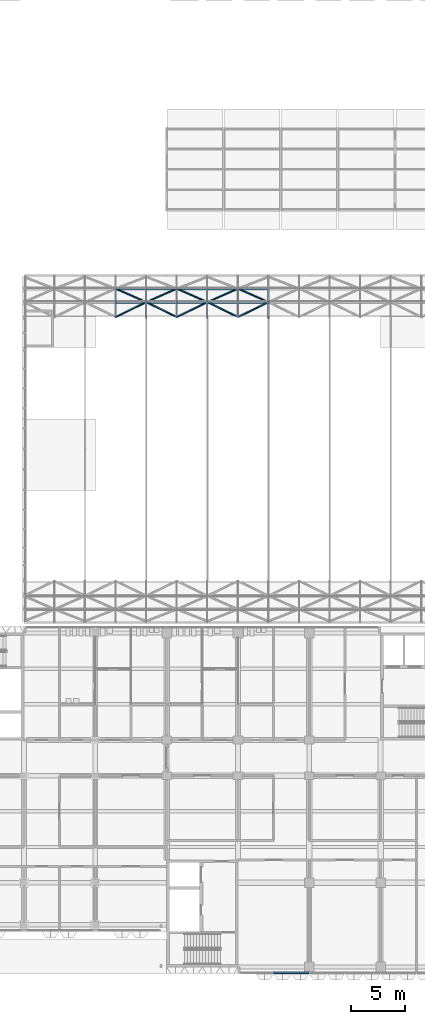
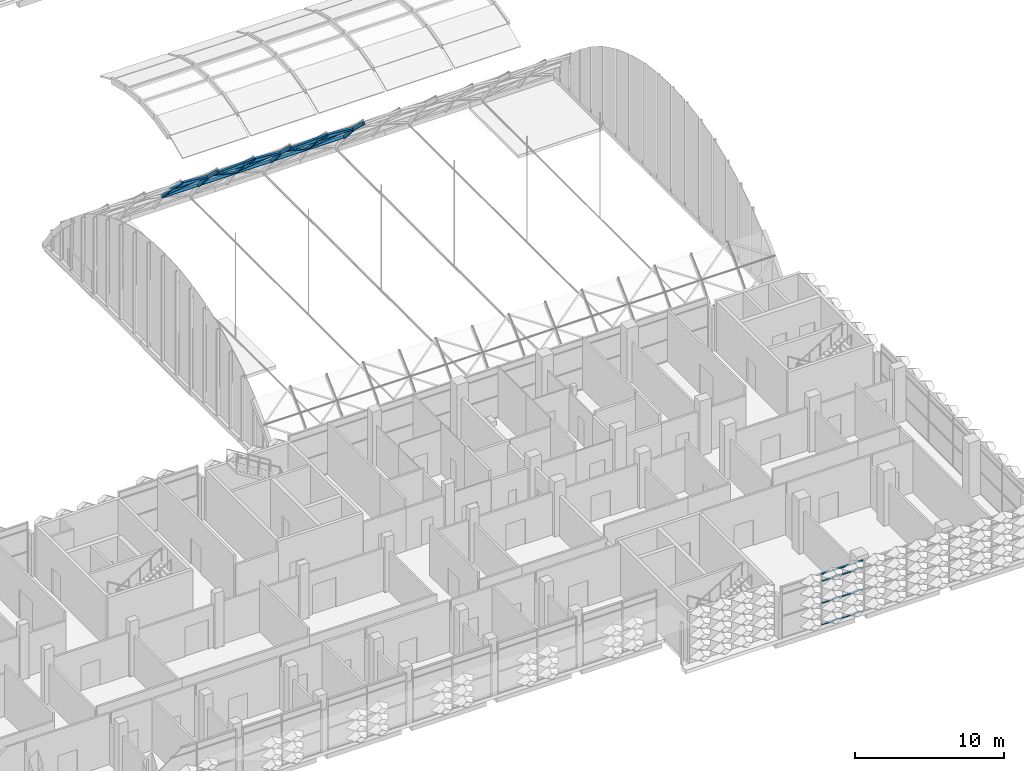
# One storey, part 27 of 109: 36 members, 1 element without a shape of its own.
"""IFC4 building model written with IfcOpenShell, lengths in metres."""

from ifc_helpers import new_model, si_unit, direction, frame, origin, origin_2d, place, context, subcontext, project, spatial, rectangle, hollow_rectangle, extrude, material, material_profile, profile_set, type_object, element, aggregate, save


model = new_model("IFC4")

# Units and contexts
model_context = context("Model", 3, precision=1e-05, world=origin(), true_north=direction((0.0, 1.0)))
body_context = subcontext(model_context, "Body", "Model", "MODEL_VIEW")
ifc_project = project(units=[si_unit("LENGTHUNIT", "METRE"), si_unit("AREAUNIT", "SQUARE_METRE"), si_unit("VOLUMEUNIT", "CUBIC_METRE"), si_unit("PLANEANGLEUNIT", "RADIAN"), si_unit("MASSUNIT", "GRAM", prefix="KILO")], contexts=[model_context])

# Site, building, storey
site_placement = place(None, origin())
site = spatial("IfcSite", under=ifc_project, at=site_placement, CompositionType="ELEMENT")
building_placement = place(site_placement, origin())
building = spatial("IfcBuilding", under=site, at=building_placement, Name="Lantern Court Research Institute", CompositionType="ELEMENT")
storey_placement = place(building_placement, frame((0.0, 0.0, 14.39990234375)))
storey = spatial("IfcBuildingStorey", under=building, at=storey_placement, Name="L03", CompositionType="ELEMENT", Elevation=14.39990234375)

# Members
ifc_material_1 = material(Name="Structural steel S355", Category="steel")
ifc_material_profile_1 = material_profile(ifc_material_1, hollow_rectangle(XDim=0.1201171875, YDim=0.1201171875, WallThickness=0.008056640625, at=origin_2d()), Name="Gridshell haunch diagonal RHS 120 x 120 x 8")
ifc_profile_set_1 = profile_set([ifc_material_profile_1], Name="Structural steel S355")
member_type_1 = type_object("IfcMemberType", Name="Gridshell haunch diagonal RHS 120 x 120 x 8", PredefinedType="BRACE", material=ifc_profile_set_1)
for number, where, z_axis, x_axis, name in (
    (1, (48.085693359375, 52.330322265625, 4.652099609375), (0.829761681147, 0.406358344452, -0.382581296451), (-0.558117866133, 0.60414109168, -0.568786417601), "Gridshell diagonal"),
    (2, (50.914306640625, 53.71142578125, 3.352294921875), (-0.829775196139, 0.365828733116, -0.421476525917), (-0.558097772678, -0.543914119911, 0.62664527948), "Gridshell diagonal"),
    (3, (53.742919921875, 52.330322265625, 4.652099609375), (-0.829761681147, 0.406358344452, -0.382581296451), (-0.558117866133, -0.60414109168, 0.568786417601), "Gridshell diagonal"),
    (4, (50.914306640625, 53.71142578125, 3.352294921875), (0.829775196139, 0.365828733116, -0.421476525917), (-0.558097772678, 0.543914119911, -0.62664527948), "Gridshell diagonal"),
    (5, (53.742919921875, 52.330322265625, 4.652099609375), (0.829761681147, 0.406358344452, -0.382581296451), (-0.558117866133, 0.60414109168, -0.568786417601), "Gridshell diagonal"),
    (6, (56.571533203125, 53.71142578125, 3.352294921875), (-0.829775196139, 0.365828733116, -0.421476525917), (-0.558097772678, -0.543914119911, 0.62664527948), "Gridshell diagonal"),
):
    element("IfcMember", number, at=place(storey_placement, frame(where, z_axis=z_axis, x_axis=x_axis)), inside=storey, type_object=member_type_1, Name=name, PredefinedType="BRACE", context=body_context, shape_type="SweptSolid", body=[
        extrude(hollow_rectangle(XDim=0.1201171875, YDim=0.1201171875, WallThickness=0.008056640625, at=origin_2d()), origin(), (0.0, 0.0, 1.0), 3.408935546875),
    ])
for number, where, z_axis, x_axis, name in (
    (7, (59.39990234375, 52.330322265625, 4.652099609375), (-0.82973937059, 0.406382493632, -0.382604032602), (-0.558151034099, -0.604115905866, 0.568780621518), "Gridshell diagonal"),
    (8, (56.571533203125, 53.71142578125, 3.352294921875), (0.829752886825, 0.365850474398, -0.42150157436), (-0.55813094053, 0.54388935428, -0.62663723439), "Gridshell diagonal"),
):
    element("IfcMember", number, at=place(storey_placement, frame(where, z_axis=z_axis, x_axis=x_axis)), inside=storey, type_object=member_type_1, Name=name, PredefinedType="BRACE", context=body_context, shape_type="SweptSolid", body=[
        extrude(hollow_rectangle(XDim=0.1201171875, YDim=0.1201171875, WallThickness=0.008056640625, at=origin_2d()), origin(), (0.0, 0.0, 1.0), 3.40869140625),
    ])
for number, where, z_axis, x_axis, name in (
    (9, (59.39990234375, 52.330322265625, 4.652099609375), (0.829761681147, 0.406358344452, -0.382581296451), (-0.558117866133, 0.60414109168, -0.568786417601), "Gridshell diagonal"),
    (10, (62.228515625, 53.71142578125, 3.352294921875), (-0.829775196139, 0.365828733116, -0.421476525917), (-0.558097772678, -0.543914119911, 0.62664527948), "Gridshell diagonal"),
):
    element("IfcMember", number, at=place(storey_placement, frame(where, z_axis=z_axis, x_axis=x_axis)), inside=storey, type_object=member_type_1, Name=name, PredefinedType="BRACE", context=body_context, shape_type="SweptSolid", body=[
        extrude(hollow_rectangle(XDim=0.1201171875, YDim=0.1201171875, WallThickness=0.008056640625, at=origin_2d()), origin(), (0.0, 0.0, 1.0), 3.408935546875),
    ])
ifc_material_2 = material(Name="Structural steel S355", Category="steel")
ifc_material_profile_2 = material_profile(ifc_material_2, hollow_rectangle(XDim=0.10009765625, YDim=0.199951171875, WallThickness=0.008056640625, at=origin_2d()), Name="Gridshell purlin RHS 200 x 100 x 8")
ifc_profile_set_2 = profile_set([ifc_material_profile_2], Name="Structural steel S355")
member_type_2 = type_object("IfcMemberType", Name="Gridshell purlin RHS 200 x 100 x 8", PredefinedType="PURLIN", material=ifc_profile_set_2)
for number, where, z_axis, x_axis, name in (
    (11, (48.145751953125, 53.6845703125, 3.322265625), (1.0, 0.0, 0.0), (0.0, 0.692674230917, -0.721250587399), "Gridshell purlin"),
    (12, (50.9892578125, 53.6845703125, 3.322265625), (1.0, 0.0, 0.0), (0.0, 0.692674230917, -0.721250587399), "Gridshell purlin"),
):
    element("IfcMember", number, at=place(storey_placement, frame(where, z_axis=z_axis, x_axis=x_axis)), inside=storey, type_object=member_type_2, Name=name, PredefinedType="PURLIN", context=body_context, shape_type="SweptSolid", body=[
        extrude(hollow_rectangle(XDim=0.10009765625, YDim=0.199951171875, WallThickness=0.008056640625, at=origin_2d()), origin(), (0.0, 0.0, 1.0), 2.693603515625),
    ])
member_1_placement = place(storey_placement, frame((53.802978515625, 53.6845703125, 3.322265625), z_axis=(1.0, 0.0, 0.0), x_axis=(0.0, 0.692674230917, -0.721250587399)))
element("IfcMember", 13, at=member_1_placement, inside=storey, type_object=member_type_2, Name="Gridshell purlin", PredefinedType="PURLIN", context=body_context, shape_type="SweptSolid", body=[
    extrude(hollow_rectangle(XDim=0.10009765625, YDim=0.199951171875, WallThickness=0.008056640625, at=origin_2d()), origin(), (0.0, 0.0, 1.0), 2.693359375),
])
for number, where, z_axis, x_axis, name in (
    (14, (56.646484375, 53.6845703125, 3.322265625), (1.0, 0.0, 0.0), (0.0, 0.692674230917, -0.721250587399), "Gridshell purlin"),
    (15, (59.4599609375, 53.6845703125, 3.322265625), (1.0, 0.0, 0.0), (0.0, 0.692674230917, -0.721250587399), "Gridshell purlin"),
    (16, (48.145751953125, 54.925048828125, 1.893310546875), (1.0, 0.0, 0.0), (0.0, 0.616657332959, -0.787231689979), "Gridshell purlin"),
    (17, (50.9892578125, 54.925048828125, 1.893310546875), (1.0, 0.0, 0.0), (0.0, 0.616657332959, -0.787231689979), "Gridshell purlin"),
):
    element("IfcMember", number, at=place(storey_placement, frame(where, z_axis=z_axis, x_axis=x_axis)), inside=storey, type_object=member_type_2, Name=name, PredefinedType="PURLIN", context=body_context, shape_type="SweptSolid", body=[
        extrude(hollow_rectangle(XDim=0.10009765625, YDim=0.199951171875, WallThickness=0.008056640625, at=origin_2d()), origin(), (0.0, 0.0, 1.0), 2.693603515625),
    ])
member_2_placement = place(storey_placement, frame((53.802978515625, 54.925048828125, 1.893310546875), z_axis=(1.0, 0.0, 0.0), x_axis=(0.0, 0.616657332959, -0.787231689979)))
element("IfcMember", 18, at=member_2_placement, inside=storey, type_object=member_type_2, Name="Gridshell purlin", PredefinedType="PURLIN", context=body_context, shape_type="SweptSolid", body=[
    extrude(hollow_rectangle(XDim=0.10009765625, YDim=0.199951171875, WallThickness=0.008056640625, at=origin_2d()), origin(), (0.0, 0.0, 1.0), 2.693359375),
])
for number, where, z_axis, x_axis, name in (
    (19, (56.646484375, 54.925048828125, 1.893310546875), (1.0, 0.0, 0.0), (0.0, 0.616657332959, -0.787231689979), "Gridshell purlin"),
    (20, (59.4599609375, 54.925048828125, 1.893310546875), (1.0, 0.0, 0.0), (0.0, 0.616657332959, -0.787231689979), "Gridshell purlin"),
):
    element("IfcMember", number, at=place(storey_placement, frame(where, z_axis=z_axis, x_axis=x_axis)), inside=storey, type_object=member_type_2, Name=name, PredefinedType="PURLIN", context=body_context, shape_type="SweptSolid", body=[
        extrude(hollow_rectangle(XDim=0.10009765625, YDim=0.199951171875, WallThickness=0.008056640625, at=origin_2d()), origin(), (0.0, 0.0, 1.0), 2.693603515625),
    ])
ifc_material_3 = material(Name="Structural steel S355", Category="steel")
ifc_material_profile_3 = material_profile(ifc_material_3, hollow_rectangle(XDim=0.1201171875, YDim=0.199951171875, WallThickness=0.008056640625, at=origin_2d()), Name="Gridshell secondary rib RHS 200 x 120 x 8")
ifc_profile_set_3 = profile_set([ifc_material_profile_3], Name="Structural steel S355")
member_type_3 = type_object("IfcMemberType", Name="Gridshell secondary rib RHS 200 x 120 x 8", PredefinedType="RAFTER", material=ifc_profile_set_3)
member_3_placement = place(storey_placement, frame((48.085693359375, 52.302978515625, 4.622802734375), z_axis=(0.0, 0.728151013069, -0.68541673613), x_axis=(-1.0, 0.0, 0.0)))
element("IfcMember", 21, at=member_3_placement, inside=storey, type_object=member_type_3, Name="Gridshell secondary rib", PredefinedType="RAFTER", context=body_context, shape_type="SweptSolid", body=[
    extrude(hollow_rectangle(XDim=0.1201171875, YDim=0.199951171875, WallThickness=0.008056640625, at=origin_2d()), origin(), (0.0, 0.0, 1.0), 1.90234375),
])
member_4_placement = place(storey_placement, frame((48.085693359375, 53.68115234375, 3.326171875), z_axis=(0.0, 0.655492193344, -0.755201949458), x_axis=(-1.0, 0.0, 0.0)))
element("IfcMember", 22, at=member_4_placement, inside=storey, type_object=member_type_3, Name="Gridshell secondary rib", PredefinedType="RAFTER", context=body_context, shape_type="SweptSolid", body=[
    extrude(hollow_rectangle(XDim=0.1201171875, YDim=0.199951171875, WallThickness=0.008056640625, at=origin_2d()), origin(), (0.0, 0.0, 1.0), 1.902587890625),
])
member_5_placement = place(storey_placement, frame((53.742919921875, 52.302978515625, 4.622802734375), z_axis=(0.0, 0.728151013069, -0.68541673613), x_axis=(-1.0, 0.0, 0.0)))
element("IfcMember", 23, at=member_5_placement, inside=storey, type_object=member_type_3, Name="Gridshell secondary rib", PredefinedType="RAFTER", context=body_context, shape_type="SweptSolid", body=[
    extrude(hollow_rectangle(XDim=0.1201171875, YDim=0.199951171875, WallThickness=0.008056640625, at=origin_2d()), origin(), (0.0, 0.0, 1.0), 1.90234375),
])
member_6_placement = place(storey_placement, frame((53.742919921875, 53.68115234375, 3.326171875), z_axis=(0.0, 0.655492193344, -0.755201949458), x_axis=(-1.0, 0.0, 0.0)))
element("IfcMember", 24, at=member_6_placement, inside=storey, type_object=member_type_3, Name="Gridshell secondary rib", PredefinedType="RAFTER", context=body_context, shape_type="SweptSolid", body=[
    extrude(hollow_rectangle(XDim=0.1201171875, YDim=0.199951171875, WallThickness=0.008056640625, at=origin_2d()), origin(), (0.0, 0.0, 1.0), 1.902587890625),
])
member_7_placement = place(storey_placement, frame((59.39990234375, 52.302978515625, 4.622802734375), z_axis=(0.0, 0.728151013069, -0.68541673613), x_axis=(-1.0, 0.0, 0.0)))
element("IfcMember", 25, at=member_7_placement, inside=storey, type_object=member_type_3, Name="Gridshell secondary rib", PredefinedType="RAFTER", context=body_context, shape_type="SweptSolid", body=[
    extrude(hollow_rectangle(XDim=0.1201171875, YDim=0.199951171875, WallThickness=0.008056640625, at=origin_2d()), origin(), (0.0, 0.0, 1.0), 1.90234375),
])
member_8_placement = place(storey_placement, frame((59.39990234375, 53.68115234375, 3.326171875), z_axis=(0.0, 0.655492193344, -0.755201949458), x_axis=(-1.0, 0.0, 0.0)))
element("IfcMember", 26, at=member_8_placement, inside=storey, type_object=member_type_3, Name="Gridshell secondary rib", PredefinedType="RAFTER", context=body_context, shape_type="SweptSolid", body=[
    extrude(hollow_rectangle(XDim=0.1201171875, YDim=0.199951171875, WallThickness=0.008056640625, at=origin_2d()), origin(), (0.0, 0.0, 1.0), 1.902587890625),
])
ifc_material_4 = material(Name="Structural steel S355", Category="steel")
ifc_material_profile_4 = material_profile(ifc_material_4, hollow_rectangle(XDim=0.14990234375, YDim=0.25, WallThickness=0.010009765625, at=origin_2d()), Name="Gridshell springing rib RHS 250 x 150 x 10")
ifc_profile_set_4 = profile_set([ifc_material_profile_4], Name="Structural steel S355")
member_type_4 = type_object("IfcMemberType", Name="Gridshell springing rib RHS 250 x 150 x 10", PredefinedType="RAFTER", material=ifc_profile_set_4)
member_9_placement = place(storey_placement, frame((50.914306640625, 52.285888671875, 4.604736328125), z_axis=(0.0, 0.728026662528, -0.685548815657), x_axis=(-1.0, 0.0, 0.0)))
element("IfcMember", 27, at=member_9_placement, inside=storey, type_object=member_type_4, Name="Gridshell rib", PredefinedType="RAFTER", context=body_context, shape_type="SweptSolid", body=[
    extrude(hollow_rectangle(XDim=0.14990234375, YDim=0.25, WallThickness=0.010009765625, at=origin_2d()), origin(), (0.0, 0.0, 1.0), 1.90234375),
])
member_10_placement = place(storey_placement, frame((50.914306640625, 53.662353515625, 3.309814453125), z_axis=(0.0, 0.655492193344, -0.755201949458), x_axis=(-1.0, 0.0, 0.0)))
element("IfcMember", 28, at=member_10_placement, inside=storey, type_object=member_type_4, Name="Gridshell rib", PredefinedType="RAFTER", context=body_context, shape_type="SweptSolid", body=[
    extrude(hollow_rectangle(XDim=0.14990234375, YDim=0.25, WallThickness=0.010009765625, at=origin_2d()), origin(), (0.0, 0.0, 1.0), 1.902587890625),
])
member_11_placement = place(storey_placement, frame((56.571533203125, 52.285888671875, 4.604736328125), z_axis=(0.0, 0.728026662528, -0.685548815657), x_axis=(-1.0, 0.0, 0.0)))
element("IfcMember", 29, at=member_11_placement, inside=storey, type_object=member_type_4, Name="Gridshell rib", PredefinedType="RAFTER", context=body_context, shape_type="SweptSolid", body=[
    extrude(hollow_rectangle(XDim=0.14990234375, YDim=0.25, WallThickness=0.010009765625, at=origin_2d()), origin(), (0.0, 0.0, 1.0), 1.90234375),
])
member_12_placement = place(storey_placement, frame((56.571533203125, 53.662353515625, 3.309814453125), z_axis=(0.0, 0.655492193344, -0.755201949458), x_axis=(-1.0, 0.0, 0.0)))
element("IfcMember", 30, at=member_12_placement, inside=storey, type_object=member_type_4, Name="Gridshell rib", PredefinedType="RAFTER", context=body_context, shape_type="SweptSolid", body=[
    extrude(hollow_rectangle(XDim=0.14990234375, YDim=0.25, WallThickness=0.010009765625, at=origin_2d()), origin(), (0.0, 0.0, 1.0), 1.902587890625),
])
member_13_placement = place(storey_placement, frame((62.228515625, 52.285888671875, 4.604736328125), z_axis=(0.0, 0.728026662528, -0.685548815657), x_axis=(-1.0, 0.0, 0.0)))
element("IfcMember", 31, at=member_13_placement, inside=storey, type_object=member_type_4, Name="Gridshell rib", PredefinedType="RAFTER", context=body_context, shape_type="SweptSolid", body=[
    extrude(hollow_rectangle(XDim=0.14990234375, YDim=0.25, WallThickness=0.010009765625, at=origin_2d()), origin(), (0.0, 0.0, 1.0), 1.90234375),
])
member_14_placement = place(storey_placement, frame((62.228515625, 53.662353515625, 3.309814453125), z_axis=(0.0, 0.655492193344, -0.755201949458), x_axis=(-1.0, 0.0, 0.0)))
element("IfcMember", 32, at=member_14_placement, inside=storey, type_object=member_type_4, Name="Gridshell rib", PredefinedType="RAFTER", context=body_context, shape_type="SweptSolid", body=[
    extrude(hollow_rectangle(XDim=0.14990234375, YDim=0.25, WallThickness=0.010009765625, at=origin_2d()), origin(), (0.0, 0.0, 1.0), 1.902587890625),
])

# Curtain wall, members
ifc_material_5 = material(Name="Aluminium alloy 6063-T6", Category="aluminium")
curtain_wall_type = type_object("IfcCurtainWallType", Name="Curtain wall 20200 x 4200 x 150 aluminium frame", PredefinedType="NOTDEFINED", material=ifc_material_5)
curtain_wall_placement = place(storey_placement, origin())
curtain_wall = element("IfcCurtainWall", 33, at=curtain_wall_placement, inside=storey, type_object=curtain_wall_type, Name="Curtain wall CW059", PredefinedType="NOTDEFINED")
ifc_material_6 = material(Name="Aluminium alloy 6063-T6", Category="aluminium")
ifc_material_profile_5 = material_profile(ifc_material_6, rectangle(XDim=0.14990234375, YDim=0.06005859375, at=origin_2d()), Name="Transom 150 x 60")
ifc_profile_set_5 = profile_set([ifc_material_profile_5], Name="Aluminium alloy 6063-T6")
member_type_5 = type_object("IfcMemberType", Name="Transom 150 x 60 aluminium", PredefinedType="USERDEFINED", material=ifc_profile_set_5)
member_15_placement = place(storey_placement, frame((65.969970703125, -8.324951171875, 0.030029296875), z_axis=(-1.0, 0.0, 0.0), x_axis=(0.0, -1.0, 0.0)))
member_15 = element("IfcMember", 34, at=member_15_placement, type_object=member_type_5, Name="CW059 transom 2.1", ObjectType="TRANSOM", PredefinedType="USERDEFINED", context=body_context, shape_type="SweptSolid", body=[
    extrude(rectangle(XDim=0.14990234375, YDim=0.06005859375, at=origin_2d()), origin(), (0.0, 0.0, 1.0), 3.239990234375),
])
member_16_placement = place(storey_placement, frame((65.969970703125, -8.324951171875, 1.800048828125), z_axis=(-1.0, 0.0, 0.0), x_axis=(0.0, -1.0, 0.0)))
member_16 = element("IfcMember", 35, at=member_16_placement, type_object=member_type_5, Name="CW059 transom 2.2", ObjectType="TRANSOM", PredefinedType="USERDEFINED", context=body_context, shape_type="SweptSolid", body=[
    extrude(rectangle(XDim=0.14990234375, YDim=0.06005859375, at=origin_2d()), origin(), (0.0, 0.0, 1.0), 3.239990234375),
])
member_17_placement = place(storey_placement, frame((65.969970703125, -8.324951171875, 3.60009765625), z_axis=(-1.0, 0.0, 0.0), x_axis=(0.0, -1.0, 0.0)))
member_17 = element("IfcMember", 36, at=member_17_placement, type_object=member_type_5, Name="CW059 transom 2.3", ObjectType="TRANSOM", PredefinedType="USERDEFINED", context=body_context, shape_type="SweptSolid", body=[
    extrude(rectangle(XDim=0.14990234375, YDim=0.06005859375, at=origin_2d()), origin(), (0.0, 0.0, 1.0), 3.239990234375),
])
member_18_placement = place(storey_placement, frame((65.969970703125, -8.324951171875, 4.170166015625), z_axis=(-1.0, 0.0, 0.0), x_axis=(0.0, -1.0, 0.0)))
member_18 = element("IfcMember", 37, at=member_18_placement, type_object=member_type_5, Name="CW059 transom 2.4", ObjectType="TRANSOM", PredefinedType="USERDEFINED", context=body_context, shape_type="SweptSolid", body=[
    extrude(rectangle(XDim=0.14990234375, YDim=0.06005859375, at=origin_2d()), origin(), (0.0, 0.0, 1.0), 3.239990234375),
])
aggregate(curtain_wall, [member_15, member_16, member_17, member_18])

save(model, "model.ifc")
